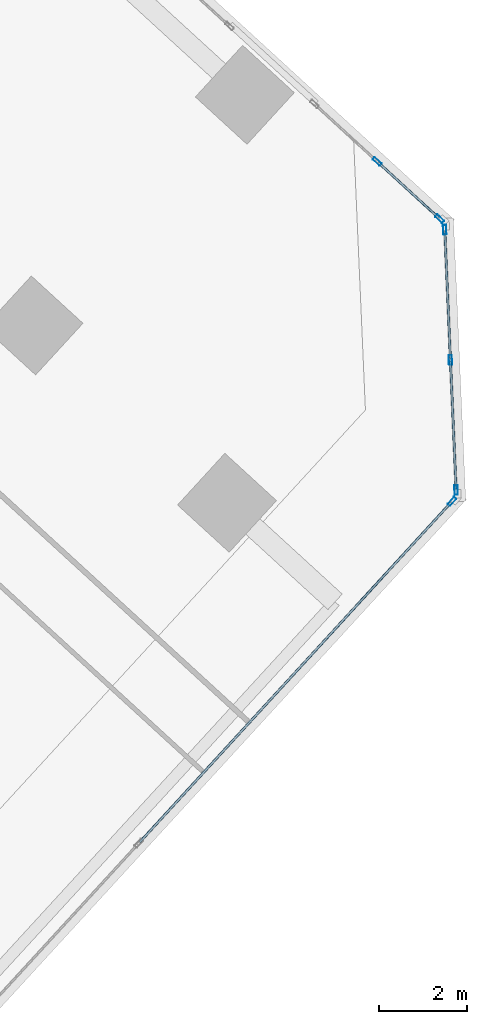
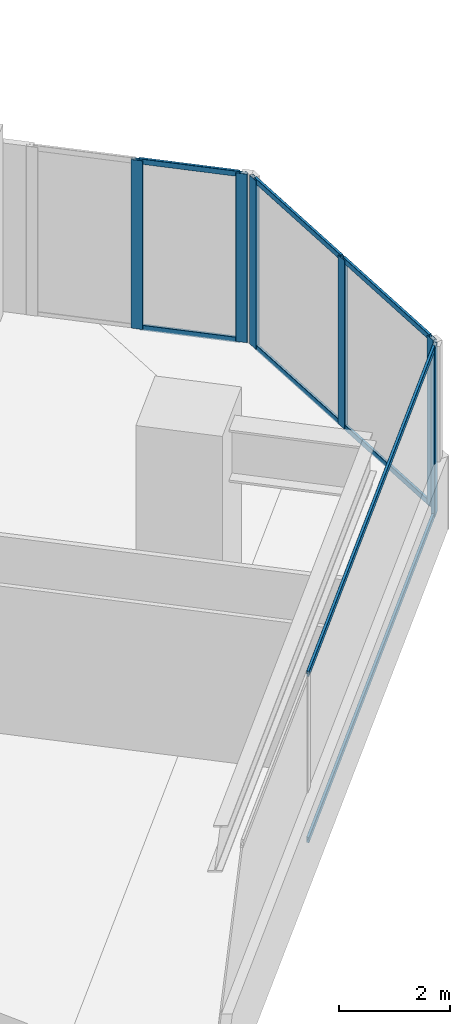
# One storey, part 8 of 19: 14 members, 3 elements without a shape of their own.
"""IFC4 building model written with IfcOpenShell, lengths in metres."""

import ifcopenshell
import ifcopenshell.guid

model = None  # the IFC model being written
_history = None  # IfcOwnerHistory: only IFC2X3 demands one
_inside = {}  # id of a spatial element -> (the spatial element, [elements in it])
_under = {}  # id of a project, library or spatial element -> (it, [spatial elements below it])
_declared = {}  # id of a project -> (the project, [libraries it declares])
_typed = {}  # id of a type object -> (the type object, [elements of that type])
_made_of = {}  # id of a material, layer set ... -> (it, [elements and type objects made of it])


def new_model(schema):
    """Start an empty IFC model of exactly this schema.

    Asked for "IFC4X3", IfcOpenShell would pick the latest addendum, in which some entities
    have other attributes; the version numbers below select the first issue.
    IFC2X3 requires an IfcOwnerHistory on every rooted entity: one is made here for all.
    """
    global model, _history
    if schema == "IFC4X3":
        model = ifcopenshell.file(schema_version=(4, 3, 0, 0))
    else:
        model = ifcopenshell.file(schema=schema)
    _inside.clear()
    _under.clear()
    _declared.clear()
    _typed.clear()
    _made_of.clear()
    _history = None
    if model.schema == "IFC2X3":
        org = make("IfcOrganization", Name="unknown")
        user = make(
            "IfcPersonAndOrganization",
            ThePerson=make("IfcPerson", FamilyName="unknown"),
            TheOrganization=org,
        )
        app = make(
            "IfcApplication",
            ApplicationDeveloper=org,
            Version="unknown",
            ApplicationFullName="unknown",
            ApplicationIdentifier="unknown",
        )
        _history = make(
            "IfcOwnerHistory",
            OwningUser=user,
            OwningApplication=app,
            ChangeAction="ADDED",
            CreationDate=0,
        )
    return model


def make(cls, **values):
    """One entity of the class cls with the attributes given. An attribute that is None is left unset."""
    return model.create_entity(
        cls, **{name: value for name, value in values.items() if value is not None}
    )


def rooted(cls, **values):
    """An entity with a GlobalId (a new one), such as an element, a storey or a relation."""
    return make(cls, GlobalId=ifcopenshell.guid.new(), OwnerHistory=_history, **values)


def si_unit(unit_type, name, prefix=None):
    """IfcSIUnit, for example si_unit("LENGTHUNIT", "METRE", prefix="MILLI")."""
    return make("IfcSIUnit", UnitType=unit_type, Prefix=prefix, Name=name)


def assignment(units):
    """IfcUnitAssignment: the units of a project."""
    return None if units is None else make("IfcUnitAssignment", Units=units)


def point(xyz):
    """IfcCartesianPoint."""
    return None if xyz is None else make("IfcCartesianPoint", Coordinates=xyz)


def direction(xyz):
    """IfcDirection."""
    return None if xyz is None else make("IfcDirection", DirectionRatios=xyz)


def frame(location, z_axis=None, x_axis=None):
    """IfcAxis2Placement3D, a coordinate frame: its origin and axes. An axis left out is left unset."""
    return make(
        "IfcAxis2Placement3D",
        Location=point(location),
        Axis=direction(z_axis),
        RefDirection=direction(x_axis),
    )


def frame_2d(location, x_axis=None):
    """IfcAxis2Placement2D, a coordinate frame in the plane: its origin and x axis."""
    return make(
        "IfcAxis2Placement2D", Location=point(location), RefDirection=direction(x_axis)
    )


def origin():
    """The frame at (0, 0, 0) with its axes left unset."""
    return frame((0.0, 0.0, 0.0))


def origin_2d():
    """The frame at (0, 0) in the plane with its x axis left unset."""
    return frame_2d((0.0, 0.0))


def place(relative_to, where):
    """IfcLocalPlacement: puts the frame where relative to a parent placement (None: the world)."""
    return make(
        "IfcLocalPlacement", PlacementRelTo=relative_to, RelativePlacement=where
    )


def context(
    kind, dimensions, precision=None, world=None, true_north=None, identifier=None
):
    """IfcGeometricRepresentationContext, for example the 3D "Model" context."""
    return make(
        "IfcGeometricRepresentationContext",
        ContextIdentifier=identifier,
        ContextType=kind,
        CoordinateSpaceDimension=dimensions,
        Precision=precision,
        WorldCoordinateSystem=world,
        TrueNorth=true_north,
    )


def subcontext(parent, identifier, kind, view, scale=None):
    """IfcGeometricRepresentationSubContext, for example "Body" below "Model"."""
    return make(
        "IfcGeometricRepresentationSubContext",
        ContextIdentifier=identifier,
        ContextType=kind,
        ParentContext=parent,
        TargetScale=scale,
        TargetView=view,
    )


def project(units=None, contexts=None):
    """IfcProject with its units and contexts."""
    return rooted(
        "IfcProject",
        Name="project",
        RepresentationContexts=contexts,
        UnitsInContext=assignment(units),
    )


def spatial(cls, under=None, at=None, **own):
    """A site, building, storey or space (cls), placed at a placement, below another one or the project."""
    s = rooted(cls, ObjectPlacement=at, **own)
    if under is not None:
        _under.setdefault(under.id(), (under, []))[1].append(s)
    return s


def profile(cls, at=None, kind="AREA", **sizes):
    """A parametric profile (cls). Its sizes go by their IFC names, for example OverallWidth=200.0."""
    return make(cls, ProfileType=kind, Position=at, **sizes)


def hollow_rectangle(**sizes):
    """IfcRectangleHollowProfileDef."""
    return profile("IfcRectangleHollowProfileDef", **sizes)


def extrude(swept, where, along, depth):
    """IfcExtrudedAreaSolid: the profile swept, set in the frame where, extruded along a direction by depth."""
    return make(
        "IfcExtrudedAreaSolid",
        SweptArea=swept,
        Position=where,
        ExtrudedDirection=direction(along),
        Depth=depth,
    )


def shape(context_of_items, identifier, shape_type, items):
    """IfcShapeRepresentation: the items that make up one representation, for example the "Body"."""
    return make(
        "IfcShapeRepresentation",
        ContextOfItems=context_of_items,
        RepresentationIdentifier=identifier,
        RepresentationType=shape_type,
        Items=items,
    )


def source(mapping_origin, context_of_items, identifier, shape_type, items):
    """IfcRepresentationMap: a shape defined once, which mapped items show again and again."""
    return make(
        "IfcRepresentationMap",
        MappingOrigin=mapping_origin,
        MappedRepresentation=shape(context_of_items, identifier, shape_type, items),
    )


def transform(
    local_origin,
    x_axis=None,
    y_axis=None,
    z_axis=None,
    scale=None,
    scale2=None,
    scale3=None,
    uniform=True,
):
    """IfcCartesianTransformationOperator3D, or its non-uniform kind. x_axis, y_axis, z_axis: its Axis1, 2, 3."""
    if uniform:
        return make(
            "IfcCartesianTransformationOperator3D",
            Axis1=direction(x_axis),
            Axis2=direction(y_axis),
            LocalOrigin=point(local_origin),
            Scale=scale,
            Axis3=direction(z_axis),
        )
    return make(
        "IfcCartesianTransformationOperator3DnonUniform",
        Axis1=direction(x_axis),
        Axis2=direction(y_axis),
        LocalOrigin=point(local_origin),
        Scale=scale,
        Axis3=direction(z_axis),
        Scale2=scale2,
        Scale3=scale3,
    )


def mapped(mapping_source, mapping_target):
    """IfcMappedItem: shows the shape of a source again, moved by a transform."""
    return make(
        "IfcMappedItem", MappingSource=mapping_source, MappingTarget=mapping_target
    )


def material(Name=None, Category=None):
    """IfcMaterial."""
    return make("IfcMaterial", Name=Name, Category=Category)


def material_profile(
    of_material, cross_section, Name=None, Category=None, Priority=None
):
    """IfcMaterialProfile: a cross section and its material."""
    return make(
        "IfcMaterialProfile",
        Name=Name,
        Material=of_material,
        Profile=cross_section,
        Priority=Priority,
        Category=Category,
    )


def profile_set(profiles, Name=None, composite=None):
    """IfcMaterialProfileSet."""
    return make(
        "IfcMaterialProfileSet",
        Name=Name,
        MaterialProfiles=profiles,
        CompositeProfile=composite,
    )


def made_of(thing, what):
    """Note that an element or type object is made of a material, layer set ...; save() writes the relation."""
    if what is not None:
        _made_of.setdefault(what.id(), (what, []))[1].append(thing)
    return thing


def type_object(cls, material=None, **own):
    """A type object (cls), such as IfcWallType, which elements share."""
    return made_of(rooted(cls, **own), material)


def element(
    cls,
    number,
    at=None,
    inside=None,
    cuts=None,
    type_object=None,
    material=None,
    context=None,
    identifier="Body",
    shape_type=None,
    held_by="IfcProductDefinitionShape",
    body=None,
    shapes=None,
    **own,
):
    """One element of the class cls, such as IfcWall. Its Tag is "e" and its number.

    at: its placement. inside: the storey or other place that contains it. cuts: it is an
    opening in that element (IfcRelVoidsElement). A single representation is given by context,
    identifier, shape_type and body (its items); several are given by shapes. held_by: the class
    of the entity that holds the representations. save() writes the other relations.
    """
    e = rooted(cls, Tag="e%d" % number, ObjectPlacement=at, **own)
    if body is not None:
        shapes = [shape(context, identifier, shape_type, body)]
    if shapes is not None:
        e.Representation = make(held_by, Representations=shapes)
    if inside is not None:
        _inside.setdefault(inside.id(), (inside, []))[1].append(e)
    if cuts is not None:
        rooted(
            "IfcRelVoidsElement", RelatingBuildingElement=cuts, RelatedOpeningElement=e
        )
    if type_object is not None:
        _typed.setdefault(type_object.id(), (type_object, []))[1].append(e)
    return made_of(e, material)


def aggregate(whole, parts):
    """IfcRelAggregates: a whole, such as a stair, and the parts it consists of."""
    return rooted("IfcRelAggregates", RelatingObject=whole, RelatedObjects=parts)


def save(model, path):
    """Write the relations noted so far, then the file.

    IfcRelAggregates (storeys below a building ...), IfcRelContainedInSpatialStructure (elements
    in a storey), IfcRelDefinesByType, IfcRelAssociatesMaterial and IfcRelDeclares: one each for
    every whole, place, type object, material and project.
    """
    for whole, parts in _under.values():
        aggregate(whole, parts)
    for where, things in _inside.values():
        rooted(
            "IfcRelContainedInSpatialStructure",
            RelatedElements=things,
            RelatingStructure=where,
        )
    for kind, things in _typed.values():
        rooted("IfcRelDefinesByType", RelatedObjects=things, RelatingType=kind)
    for what, things in _made_of.values():
        rooted("IfcRelAssociatesMaterial", RelatedObjects=things, RelatingMaterial=what)
    for by, libraries in _declared.values():
        rooted("IfcRelDeclares", RelatingContext=by, RelatedDefinitions=libraries)
    model.write(path)


model = new_model("IFC4")

# Units and contexts
model_context = context("Model", 3, precision=1e-05, world=origin(), true_north=direction((0.0, 1.0)))
body_context = subcontext(model_context, "Body", "Model", "MODEL_VIEW")
ifc_project = project(units=[si_unit("LENGTHUNIT", "METRE"), si_unit("AREAUNIT", "SQUARE_METRE"), si_unit("VOLUMEUNIT", "CUBIC_METRE"), si_unit("PLANEANGLEUNIT", "RADIAN"), si_unit("MASSUNIT", "GRAM", prefix="KILO")], contexts=[model_context])

# Site, building, storey
site_placement = place(None, origin())
site = spatial("IfcSite", under=ifc_project, at=site_placement, CompositionType="ELEMENT")
building_placement = place(site_placement, origin())
building = spatial("IfcBuilding", under=site, at=building_placement, Name="Torre Montelarca", CompositionType="ELEMENT")
storey_placement = place(building_placement, frame((0.0, 0.0, 229.0)))
storey = spatial("IfcBuildingStorey", under=building, at=storey_placement, Name="L51", CompositionType="ELEMENT", Elevation=229.0)

# Curtain wall, members
ifc_material_1 = material(Name="Insulated low-E laminated glass", Category="glass")
curtain_wall_type = type_object("IfcCurtainWallType", Name="CW-SYS-Z3", PredefinedType="USERDEFINED", material=ifc_material_1)
curtain_wall_1_placement = place(storey_placement, origin())
curtain_wall_1 = element("IfcCurtainWall", 1, at=curtain_wall_1_placement, inside=storey, type_object=curtain_wall_type, Name="L51 Curtain Wall Run CW-T3-L51-E07-B1", ObjectType="UNITISED GLAZING", PredefinedType="USERDEFINED")
ifc_material_2 = material(Name="Anodised aluminium AA 6063-T6", Category="aluminium")
ifc_material_profile_1 = material_profile(ifc_material_2, hollow_rectangle(XDim=0.054931640625, YDim=0.1201171875, WallThickness=0.00341796875, InnerFilletRadius=0.00341796875, OuterFilletRadius=0.007080078125, at=origin_2d()), Name="ALU55X120X3.5", Category="aluminium")
ifc_profile_set_1 = profile_set([ifc_material_profile_1], Name="Anodised aluminium AA 6063-T6")
member_type_1 = type_object("IfcMemberType", Name="CWT-ALU120", PredefinedType="USERDEFINED", material=ifc_profile_set_1)
shared_shape_1 = source(origin(), body_context, "Body", "SweptSolid", [
    extrude(hollow_rectangle(XDim=0.054931640625, YDim=0.1201171875, WallThickness=0.00341796875, InnerFilletRadius=0.00341796875, OuterFilletRadius=0.007080078125, at=origin_2d()), origin(), (0.0, 0.0, 1.0), 2.903564453125),
])
member_1_placement = place(storey_placement, frame((47.253662109375, 24.376708984375, 0.027587890625), z_axis=(-0.043637906688, 0.999047412839, 0.0), x_axis=(-0.999047412839, -0.043637906688, 0.0)))
member_1 = element("IfcMember", 2, at=member_1_placement, type_object=member_type_1, Name="CW transom 1.1", ObjectType="TRANSOM", PredefinedType="USERDEFINED", context=body_context, shape_type="MappedRepresentation", body=[
    mapped(shared_shape_1, transform((0.0, 0.0, 0.0), scale=1.0)),
])
member_2_placement = place(storey_placement, frame((47.253662109375, 24.376708984375, 3.6923828125), z_axis=(-0.043637906688, 0.999047412839, 0.0), x_axis=(-0.999047412839, -0.043637906688, 0.0)))
member_2 = element("IfcMember", 3, at=member_2_placement, type_object=member_type_1, Name="CW transom 1.2", ObjectType="TRANSOM", PredefinedType="USERDEFINED", context=body_context, shape_type="MappedRepresentation", body=[
    mapped(shared_shape_1, transform((0.0, 0.0, 0.0), scale=1.0)),
])
member_3_placement = place(storey_placement, frame((47.123779296875, 27.352294921875, 0.027587890625), z_axis=(-0.043637906688, 0.999047412839, 0.0), x_axis=(-0.999047412839, -0.043637906688, 0.0)))
member_3 = element("IfcMember", 4, at=member_3_placement, type_object=member_type_1, Name="CW transom 2.1", ObjectType="TRANSOM", PredefinedType="USERDEFINED", context=body_context, shape_type="MappedRepresentation", body=[
    mapped(shared_shape_1, transform((0.0, 0.0, 0.0), scale=1.0)),
])
member_4_placement = place(storey_placement, frame((47.123779296875, 27.352294921875, 3.6923828125), z_axis=(-0.043637906688, 0.999047412839, 0.0), x_axis=(-0.999047412839, -0.043637906688, 0.0)))
member_4 = element("IfcMember", 5, at=member_4_placement, type_object=member_type_1, Name="CW transom 2.2", ObjectType="TRANSOM", PredefinedType="USERDEFINED", context=body_context, shape_type="MappedRepresentation", body=[
    mapped(shared_shape_1, transform((0.0, 0.0, 0.0), scale=1.0)),
])

# Curtain wall, member
curtain_wall_2_placement = place(storey_placement, origin())
curtain_wall_2 = element("IfcCurtainWall", 6, at=curtain_wall_2_placement, inside=storey, type_object=curtain_wall_type, Name="L51 Curtain Wall Run CW-T3-L51-E06-B1", ObjectType="UNITISED GLAZING", PredefinedType="USERDEFINED")
ifc_material_profile_2 = material_profile(ifc_material_2, hollow_rectangle(XDim=0.074951171875, YDim=0.219970703125, WallThickness=0.0048828125, InnerFilletRadius=0.0048828125, OuterFilletRadius=0.010009765625, at=origin_2d()), Name="ALU75X220X5", Category="aluminium")
ifc_profile_set_2 = profile_set([ifc_material_profile_2], Name="Anodised aluminium AA 6063-T6")
member_type_2 = type_object("IfcMemberType", Name="CWM-ALU220", PredefinedType="MULLION", material=ifc_profile_set_2)
shared_shape_2 = source(origin(), body_context, "Body", "SweptSolid", [
    extrude(hollow_rectangle(XDim=0.074951171875, YDim=0.219970703125, WallThickness=0.0048828125, InnerFilletRadius=0.0048828125, OuterFilletRadius=0.010009765625, at=origin_2d()), origin(), (0.0, 0.0, 1.0), 3.719970703125),
])
member_5_placement = place(storey_placement, frame((47.16064453125, 24.07958984375, 0.0), z_axis=(0.0, 0.0, 1.0), x_axis=(-0.737277670314, 0.675589843659, 0.0)))
member_5 = element("IfcMember", 7, at=member_5_placement, type_object=member_type_2, Name="CW mullion 3", PredefinedType="MULLION", context=body_context, shape_type="MappedRepresentation", body=[
    mapped(shared_shape_2, transform((0.0, 0.0, 0.0), scale=1.0)),
])

# Member
member_6_placement = place(storey_placement, frame((47.25537109375, 24.339111328125, 0.0), z_axis=(0.0, 0.0, 1.0), x_axis=(-0.999048385364, -0.043615635968, 0.0)))
member_6 = element("IfcMember", 8, at=member_6_placement, type_object=member_type_2, Name="CW mullion 1", PredefinedType="MULLION", context=body_context, shape_type="MappedRepresentation", body=[
    mapped(shared_shape_2, transform((0.0, 0.0, 0.0), scale=1.0)),
])

member_7_placement = place(storey_placement, frame((47.125244140625, 27.31494140625, 0.0), z_axis=(0.0, 0.0, 1.0), x_axis=(-0.999048385364, -0.043615635968, 0.0)))
member_7 = element("IfcMember", 9, at=member_7_placement, type_object=member_type_2, Name="CW mullion 2", PredefinedType="MULLION", context=body_context, shape_type="MappedRepresentation", body=[
    mapped(shared_shape_2, transform((0.0, 0.0, 0.0), scale=1.0)),
])

member_8_placement = place(storey_placement, frame((46.995361328125, 30.290771484375, 0.0), z_axis=(0.0, 0.0, 1.0), x_axis=(-0.999048385364, -0.043615635968, 0.0)))
member_8 = element("IfcMember", 10, at=member_8_placement, type_object=member_type_2, Name="CW mullion 3", PredefinedType="MULLION", context=body_context, shape_type="MappedRepresentation", body=[
    mapped(shared_shape_2, transform((0.0, 0.0, 0.0), scale=1.0)),
])

aggregate(curtain_wall_1, [member_6, member_7, member_8, member_1, member_2, member_3, member_4])

# Curtain wall, members
curtain_wall_3_placement = place(storey_placement, origin())
curtain_wall_3 = element("IfcCurtainWall", 11, at=curtain_wall_3_placement, inside=storey, type_object=curtain_wall_type, Name="L51 Curtain Wall Run CW-T3-L51-E08-B1", ObjectType="UNITISED GLAZING", PredefinedType="USERDEFINED")
member_9_placement = place(storey_placement, frame((46.878662109375, 30.541015625, 0.0), z_axis=(0.0, 0.0, 1.0), x_axis=(-0.675580323, -0.73728639427, 0.0)))
member_9 = element("IfcMember", 12, at=member_9_placement, type_object=member_type_2, Name="CW mullion 1", PredefinedType="MULLION", context=body_context, shape_type="MappedRepresentation", body=[
    mapped(shared_shape_2, transform((0.0, 0.0, 0.0), scale=1.0)),
])
member_10_placement = place(storey_placement, frame((45.44873046875, 31.8515625, 0.0), z_axis=(0.0, 0.0, 1.0), x_axis=(-0.675580323, -0.73728639427, 0.0)))
member_10 = element("IfcMember", 13, at=member_10_placement, type_object=member_type_2, Name="CW mullion 2", PredefinedType="MULLION", context=body_context, shape_type="MappedRepresentation", body=[
    mapped(shared_shape_2, transform((0.0, 0.0, 0.0), scale=1.0)),
])

# Member
shared_shape_3 = source(origin(), body_context, "Body", "SweptSolid", [
    extrude(hollow_rectangle(XDim=0.054931640625, YDim=0.1201171875, WallThickness=0.00341796875, InnerFilletRadius=0.00341796875, OuterFilletRadius=0.007080078125, at=origin_2d()), origin(), (0.0, 0.0, 1.0), 10.521728515625),
])
member_11_placement = place(storey_placement, frame((40.027099609375, 16.294677734375, 0.027587890625), z_axis=(0.675596429277, 0.737271635659, 0.0), x_axis=(-0.737271635659, 0.675596429277, 0.0)))
member_11 = element("IfcMember", 14, at=member_11_placement, type_object=member_type_1, Name="CW transom 2.1", ObjectType="TRANSOM", PredefinedType="USERDEFINED", context=body_context, shape_type="MappedRepresentation", body=[
    mapped(shared_shape_3, transform((0.0, 0.0, 0.0), scale=1.0)),
])

member_12_placement = place(storey_placement, frame((40.027099609375, 16.294677734375, 3.6923828125), z_axis=(0.675596429277, 0.737271635659, 0.0), x_axis=(-0.737271635659, 0.675596429277, 0.0)))
member_12 = element("IfcMember", 15, at=member_12_placement, type_object=member_type_1, Name="CW transom 2.2", ObjectType="TRANSOM", PredefinedType="USERDEFINED", context=body_context, shape_type="MappedRepresentation", body=[
    mapped(shared_shape_3, transform((0.0, 0.0, 0.0), scale=1.0)),
])

aggregate(curtain_wall_2, [member_5, member_11, member_12])

shared_shape_4 = source(origin(), body_context, "Body", "SweptSolid", [
    extrude(hollow_rectangle(XDim=0.054931640625, YDim=0.1201171875, WallThickness=0.00341796875, InnerFilletRadius=0.00341796875, OuterFilletRadius=0.007080078125, at=origin_2d()), origin(), (0.0, 0.0, 1.0), 1.86474609375),
])
member_13_placement = place(storey_placement, frame((46.85107421875, 30.56640625, 0.027587890625), z_axis=(-0.737268261341, 0.675600111618, 0.0), x_axis=(-0.675600111618, -0.737268261341, 0.0)))
member_13 = element("IfcMember", 16, at=member_13_placement, type_object=member_type_1, Name="CW transom 1.1", ObjectType="TRANSOM", PredefinedType="USERDEFINED", context=body_context, shape_type="MappedRepresentation", body=[
    mapped(shared_shape_4, transform((0.0, 0.0, 0.0), scale=1.0)),
])

member_14_placement = place(storey_placement, frame((46.85107421875, 30.56640625, 3.6923828125), z_axis=(-0.737268261341, 0.675600111618, 0.0), x_axis=(-0.675600111618, -0.737268261341, 0.0)))
member_14 = element("IfcMember", 17, at=member_14_placement, type_object=member_type_1, Name="CW transom 1.2", ObjectType="TRANSOM", PredefinedType="USERDEFINED", context=body_context, shape_type="MappedRepresentation", body=[
    mapped(shared_shape_4, transform((0.0, 0.0, 0.0), scale=1.0)),
])

aggregate(curtain_wall_3, [member_9, member_10, member_13, member_14])

save(model, "model.ifc")
